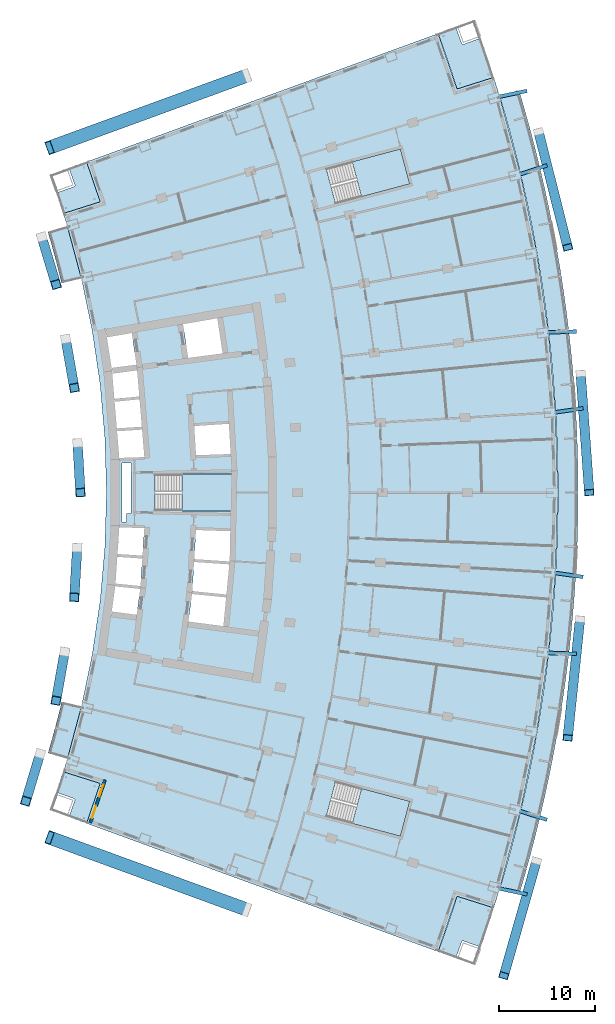
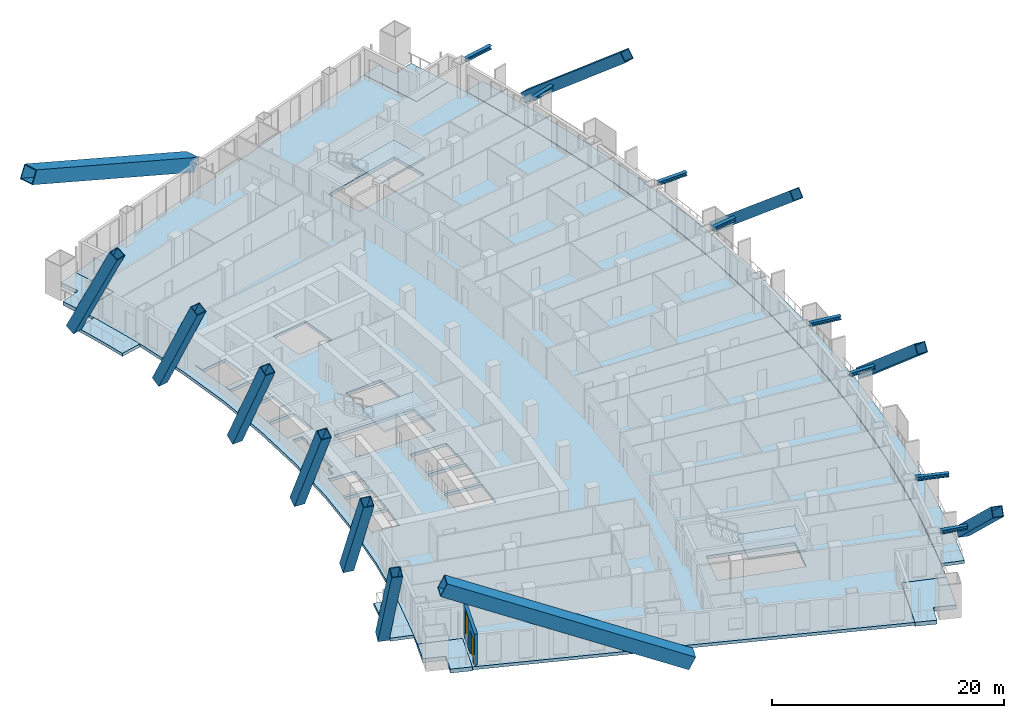
# One storey, part 12 of 25: 20 members, 11 slabs, 1 door, 1 wall, 1 window, 2 openings, 3 elements without a shape of their own.
"""IFC4 building model written with IfcOpenShell, lengths in metres."""

from ifc_helpers import new_model, si_unit, direction, frame, frame_2d, origin, origin_2d, place, context, subcontext, project, spatial, polyline, rectangle, hollow_rectangle, i_section, outline, extrude, material, layer, layer_set, material_profile, profile_set, type_object, element, fill, aggregate, save


model = new_model("IFC4")

# Units and contexts
model_context = context("Model", 3, precision=1e-05, world=origin(), true_north=direction((0.0, 1.0)))
body_context = subcontext(model_context, "Body", "Model", "MODEL_VIEW")
ifc_project = project(units=[si_unit("LENGTHUNIT", "METRE"), si_unit("AREAUNIT", "SQUARE_METRE"), si_unit("VOLUMEUNIT", "CUBIC_METRE"), si_unit("PLANEANGLEUNIT", "RADIAN"), si_unit("MASSUNIT", "GRAM", prefix="KILO")], contexts=[model_context])

# Site, building, storey
site_placement = place(None, origin())
site = spatial("IfcSite", under=ifc_project, at=site_placement, CompositionType="ELEMENT")
building_placement = place(site_placement, origin())
building = spatial("IfcBuilding", under=site, at=building_placement, Name="Alderwake Tower", CompositionType="ELEMENT")
storey_placement = place(building_placement, frame((0.0, 0.0, 64.39990234375)))
storey = spatial("IfcBuildingStorey", under=building, at=storey_placement, Name="L15", CompositionType="ELEMENT", Elevation=64.39990234375)

# Members
ifc_material_1 = material(Name="Steel ASTM A992 Grade 50", Category="steel")
ifc_material_profile_1 = material_profile(ifc_material_1, i_section(OverallWidth=0.3740234375, OverallDepth=0.372314453125, WebThickness=0.016357421875, FlangeThickness=0.026123046875, at=origin_2d()), Name="W14X132")
ifc_profile_set_1 = profile_set([ifc_material_profile_1], Name="Steel ASTM A992 Grade 50")
member_type_1 = type_object("IfcMemberType", Name="Brace node stub W14X132", PredefinedType="MEMBER", material=ifc_profile_set_1)
for number, where, z_axis, x_axis, name in (
    (1, (58.88134765625, 27.9921875, 3.393798828125), (0.949831058239, -0.312763426258, 0.0), (0.312763426258, 0.949831058239, 0.0), "Brace node stub BS.FR03-C5.680"),
    (2, (56.72119140625, 19.953369140625, 3.393798828125), (0.978674700186, -0.205416238929, 0.0), (0.205416238929, 0.978674700186, 0.0), "Brace node stub BS.FR02-C5.680"),
    (3, (62.507080078125, 52.6767578125, 3.393798828125), (0.989774382902, -0.142641757388, 0.0), (0.142641757388, 0.989774382902, 0.0), "Brace node stub BS.FR06-C5.680"),
):
    element("IfcMember", number, at=place(storey_placement, frame(where, z_axis=z_axis, x_axis=x_axis)), inside=storey, type_object=member_type_1, Name=name, PredefinedType="MEMBER", context=body_context, shape_type="SweptSolid", body=[
        extrude(i_section(OverallWidth=0.3740234375, OverallDepth=0.372314453125, WebThickness=0.016357421875, FlangeThickness=0.026123046875, at=origin_2d()), origin(), (0.0, 0.0, 1.0), 2.9404296875),
    ])
for number, where, z_axis, x_axis, name in (
    (4, (61.77978515625, 44.384521484375, 3.393798828125), (0.999491530865, -0.031885415623, 0.0), (0.031885415623, 0.999491530865, 0.0), "Brace node stub BS.FR05-C5.680"),
    (5, (61.77978515625, 77.615478515625, 3.393798828125), (0.999491530865, 0.031885415623, 0.0), (-0.031885415623, 0.999491530865, 0.0), "Brace node stub BS.FR09-C5.680"),
):
    element("IfcMember", number, at=place(storey_placement, frame(where, z_axis=z_axis, x_axis=x_axis)), inside=storey, type_object=member_type_1, Name=name, PredefinedType="MEMBER", context=body_context, shape_type="SweptSolid", body=[
        extrude(i_section(OverallWidth=0.3740234375, OverallDepth=0.372314453125, WebThickness=0.016357421875, FlangeThickness=0.026123046875, at=origin_2d()), origin(), (0.0, 0.0, 1.0), 2.940185546875),
    ])
for number, where, z_axis, x_axis, name in (
    (6, (62.507080078125, 69.3232421875, 3.393798828125), (0.989774382902, 0.142641757388, 0.0), (-0.142641757388, 0.989774382902, 0.0), "Brace node stub BS.FR08-C5.680"),
    (7, (56.72119140625, 102.046630859375, 3.393798828125), (0.978674700186, 0.205416238929, 0.0), (-0.205416238929, 0.978674700186, 0.0), "Brace node stub BS.FR12-C5.680"),
    (8, (58.88134765625, 94.0078125, 3.393798828125), (0.949831058239, 0.312763426258, 0.0), (-0.312763426258, 0.949831058239, 0.0), "Brace node stub BS.FR11-C5.680"),
):
    element("IfcMember", number, at=place(storey_placement, frame(where, z_axis=z_axis, x_axis=x_axis)), inside=storey, type_object=member_type_1, Name=name, PredefinedType="MEMBER", context=body_context, shape_type="SweptSolid", body=[
        extrude(i_section(OverallWidth=0.3740234375, OverallDepth=0.372314453125, WebThickness=0.016357421875, FlangeThickness=0.026123046875, at=origin_2d()), origin(), (0.0, 0.0, 1.0), 2.9404296875),
    ])
ifc_material_2 = material(Name="Steel ASTM A572 Grade 50", Category="steel")
ifc_material_profile_2 = material_profile(ifc_material_2, hollow_rectangle(XDim=1.39990234375, YDim=1.39990234375, WallThickness=0.080078125, at=origin_2d()), Name="BOX 1400X1400X80")
ifc_profile_set_2 = profile_set([ifc_material_profile_2], Name="Steel ASTM A572 Grade 50")
member_type_2 = type_object("IfcMemberType", Name="Mega brace end Z1", PredefinedType="BRACE", material=ifc_profile_set_2)
for number, where, z_axis, x_axis, name in (
    (9, (30.562255859375, 17.767333984375, 0.436279296875), (-0.848264552088, 0.309638421914, 0.429617617592), (-0.34289554939, -0.939373537103, 0.0), "Brace BRS1.2.0B2"),
    (10, (30.562255859375, 104.232666015625, 0.436279296875), (-0.848264552088, -0.309638421914, 0.429617617592), (0.34289554939, -0.939373537103, 0.0), "Brace BRN1.2.0B2"),
):
    element("IfcMember", number, at=place(storey_placement, frame(where, z_axis=z_axis, x_axis=x_axis)), inside=storey, type_object=member_type_2, Name=name, PredefinedType="BRACE", context=body_context, shape_type="SweptSolid", body=[
        extrude(hollow_rectangle(XDim=1.39990234375, YDim=1.39990234375, WallThickness=0.080078125, at=origin_2d()), origin(), (0.0, 0.0, 1.0), 24.123291015625),
    ])
ifc_material_3 = material(Name="Steel ASTM A572 Grade 50", Category="steel")
ifc_material_profile_3 = material_profile(ifc_material_3, hollow_rectangle(XDim=1.0, YDim=1.0, WallThickness=0.06005859375, at=origin_2d()), Name="BOX 1000X1000X60")
ifc_profile_set_3 = profile_set([ifc_material_profile_3], Name="Steel ASTM A572 Grade 50")
member_type_3 = type_object("IfcMemberType", Name="Mega brace face Z1", PredefinedType="BRACE", material=ifc_profile_set_3)
for number, where, z_axis, x_axis, name in (
    (11, (60.589599609375, 22.818603515625, 0.345458984375), (-0.209737163601, -0.734487007314, 0.645398449248), (0.961564144466, -0.274580400024, 0.0), "Brace BRF1.2.1B2"),
    (12, (65.090087890625, 47.879638671875, 0.345458984375), (-0.078658549073, -0.759788230672, 0.645394977661), (0.994683782312, -0.102976566292, 0.0), "Brace BRF1.2.4B2"),
    (13, (65.158447265625, 73.34130859375, 0.345458984375), (0.054830826184, -0.761874179109, 0.645400120629), (0.997420295192, 0.071782691076, 0.0), "Brace BRF1.2.7B2"),
):
    element("IfcMember", number, at=place(storey_placement, frame(where, z_axis=z_axis, x_axis=x_axis)), inside=storey, type_object=member_type_3, Name=name, PredefinedType="BRACE", context=body_context, shape_type="SweptSolid", body=[
        extrude(hollow_rectangle(XDim=1.0, YDim=1.0, WallThickness=0.06005859375, at=origin_2d()), origin(), (0.0, 0.0, 1.0), 16.19873046875),
    ])
member_1_placement = place(storey_placement, frame((60.79248046875, 98.426025390625, 0.345458984375), z_axis=(0.186648746741, -0.740686854801, 0.645403151886), x_axis=(0.969685807447, 0.244355140799, 0.0)))
element("IfcMember", 14, at=member_1_placement, inside=storey, type_object=member_type_3, Name="Brace BRF1.2.10B2", PredefinedType="BRACE", context=body_context, shape_type="SweptSolid", body=[
    extrude(hollow_rectangle(XDim=1.0, YDim=1.0, WallThickness=0.06005859375, at=origin_2d()), origin(), (0.0, 0.0, 1.0), 16.198486328125),
])
for number, where, z_axis, x_axis, name in (
    (15, (9.126708984375, 33.947998046875, 0.558349609375), (-0.12933720337, -0.430825950189, 0.89311863068), (0.95777155602, -0.287530253154, 0.0), "Brace BRR1.2.1B2"),
    (16, (11.669921875, 44.506591796875, 0.558349609375), (-0.078325769962, -0.442958948039, 0.893113903213), (0.984723942876, -0.17412281966, 0.0), "Brace BRR1.2.3B2"),
):
    element("IfcMember", number, at=place(storey_placement, frame(where, z_axis=z_axis, x_axis=x_axis)), inside=storey, type_object=member_type_3, Name=name, PredefinedType="BRACE", context=body_context, shape_type="SweptSolid", body=[
        extrude(hollow_rectangle(XDim=1.0, YDim=1.0, WallThickness=0.06005859375, at=origin_2d()), origin(), (0.0, 0.0, 1.0), 11.46728515625),
    ])
member_2_placement = place(storey_placement, frame((12.966552734375, 55.289306640625, 0.558349609375), z_axis=(-0.026229186763, -0.449068373694, 0.893112325248), x_axis=(0.998298604604, -0.058308627548, 0.0)))
element("IfcMember", 17, at=member_2_placement, inside=storey, type_object=member_type_3, Name="Brace BRR1.2.5B2", PredefinedType="BRACE", context=body_context, shape_type="SweptSolid", body=[
    extrude(hollow_rectangle(XDim=1.0, YDim=1.0, WallThickness=0.06005859375, at=origin_2d()), origin(), (0.0, 0.0, 1.0), 11.467529296875),
])
for number, where, z_axis, x_axis, name in (
    (18, (12.999267578125, 66.1494140625, 0.558349609375), (0.026229437528, -0.449051376903, 0.893120863886), (0.99829844368, 0.058311382639, 0.0), "Brace BRR1.2.7B2"),
    (19, (11.767578125, 76.939697265625, 0.558349609375), (0.078326508612, -0.442941835195, 0.893122325711), (0.984722507824, 0.174130935174, 0.0), "Brace BRR1.2.9B2"),
    (20, (9.288330078125, 87.513427734375, 0.558349609375), (0.129358137216, -0.430824763775, 0.893116171198), (0.957758521063, 0.2875736694, 0.0), "Brace BRR1.2.11B2"),
):
    element("IfcMember", number, at=place(storey_placement, frame(where, z_axis=z_axis, x_axis=x_axis)), inside=storey, type_object=member_type_3, Name=name, PredefinedType="BRACE", context=body_context, shape_type="SweptSolid", body=[
        extrude(hollow_rectangle(XDim=1.0, YDim=1.0, WallThickness=0.06005859375, at=origin_2d()), origin(), (0.0, 0.0, 1.0), 11.46728515625),
    ])

# Slabs
ifc_material_4 = material(Name="Concrete C50/60", Category="concrete")
ifc_layer_1 = layer(ifc_material_4, 0.320068359375)
ifc_layer_set_1 = layer_set([ifc_layer_1], Name="Balcony slab 320")
slab_type_1 = type_object("IfcSlabType", Name="Balcony slab 320", PredefinedType="FLOOR", material=ifc_layer_set_1)
slab_1_placement = place(storey_placement, frame((0.0, 0.0, -0.31982421875)))
element("IfcSlab", 21, at=slab_1_placement, inside=storey, type_object=slab_type_1, Name="Balcony BF02", PredefinedType="FLOOR", context=body_context, shape_type="SweptSolid", body=[
    extrude(outline(polyline([(58.7802734375, 19.334228515625), (59.373046875, 21.3623046875), (59.936279296875, 23.399169921875), (60.4697265625, 25.443603515625), (60.973388671875, 27.49609375), (61.447021484375, 29.555419921875), (61.890380859375, 31.621337890625), (62.3037109375, 33.693603515625), (62.68701171875, 35.771728515625), (63.03955078125, 37.855224609375), (63.36181640625, 39.943603515625), (63.65380859375, 42.036376953125), (63.9150390625, 44.13330078125), (64.145751953125, 46.23388671875), (64.345703125, 48.33740234375), (64.514892578125, 50.443603515625), (64.653564453125, 52.55224609375), (64.76123046875, 54.66259765625), (64.83837890625, 56.7744140625), (64.884521484375, 58.886962890625), (64.89990234375, 61.0), (64.884521484375, 63.113037109375), (64.83837890625, 65.2255859375), (64.76123046875, 67.33740234375), (64.653564453125, 69.44775390625), (64.514892578125, 71.556396484375), (64.345703125, 73.66259765625), (64.145751953125, 75.76611328125), (63.9150390625, 77.86669921875), (63.65380859375, 79.963623046875), (63.36181640625, 82.056396484375), (63.03955078125, 84.144775390625), (62.68701171875, 86.228271484375), (62.3037109375, 88.306396484375), (61.890380859375, 90.378662109375), (61.447021484375, 92.444580078125), (60.973388671875, 94.50390625), (60.4697265625, 96.556396484375), (59.936279296875, 98.600830078125), (59.373046875, 100.6376953125), (58.7802734375, 102.665771484375), (56.76904296875, 102.06201171875), (57.353271484375, 100.06298828125), (57.908203125, 98.055908203125), (58.43408203125, 96.041015625), (58.930419921875, 94.0185546875), (59.39697265625, 91.989013671875), (59.833984375, 89.952880859375), (60.241455078125, 87.91064453125), (60.618896484375, 85.862548828125), (60.966552734375, 83.809326171875), (61.2841796875, 81.751220703125), (61.57177734375, 79.688720703125), (61.829345703125, 77.622314453125), (62.056640625, 75.55224609375), (62.253662109375, 73.47900390625), (62.42041015625, 71.4033203125), (62.55712890625, 69.3251953125), (62.663330078125, 67.24560546875), (62.7392578125, 65.164306640625), (62.784912109375, 63.08251953125), (62.800048828125, 61.0), (62.784912109375, 58.91748046875), (62.7392578125, 56.835693359375), (62.663330078125, 54.75439453125), (62.55712890625, 52.6748046875), (62.42041015625, 50.5966796875), (62.253662109375, 48.52099609375), (62.056640625, 46.44775390625), (61.829345703125, 44.377685546875), (61.57177734375, 42.311279296875), (61.2841796875, 40.248779296875), (60.966552734375, 38.190673828125), (60.618896484375, 36.137451171875), (60.241455078125, 34.08935546875), (59.833984375, 32.047119140625), (59.39697265625, 30.010986328125), (58.930419921875, 27.9814453125), (58.43408203125, 25.958984375), (57.908203125, 23.944091796875), (57.353271484375, 21.93701171875), (56.76904296875, 19.93798828125), (58.7802734375, 19.334228515625)])), origin(), (0.0, 0.0, 1.0), 0.31982421875),
])
slab_2_placement = place(storey_placement, frame((0.0, 0.0, -0.31982421875)))
element("IfcSlab", 22, at=slab_2_placement, inside=storey, type_object=slab_type_1, Name="Balcony BR02", PredefinedType="FLOOR", context=body_context, shape_type="SweptSolid", body=[
    extrude(outline(polyline([(9.93408203125, 33.999267578125), (11.945556640625, 33.395263671875), (13.3984375, 38.802734375), (11.35546875, 39.288330078125), (11.029052734375, 37.95849609375), (10.683349609375, 36.63330078125), (10.318359375, 35.3134765625), (9.93408203125, 33.999267578125)])), origin(), (0.0, 0.0, 1.0), 0.31982421875),
])
slab_3_placement = place(storey_placement, frame((0.0, 0.0, -0.31982421875)))
element("IfcSlab", 23, at=slab_3_placement, inside=storey, type_object=slab_type_1, Name="Balcony BR11", PredefinedType="FLOOR", context=body_context, shape_type="SweptSolid", body=[
    extrude(outline(polyline([(11.35546875, 82.711669921875), (13.3984375, 83.197265625), (11.945556640625, 88.604736328125), (9.93408203125, 88.000732421875), (10.318359375, 86.6865234375), (10.683349609375, 85.36669921875), (11.029052734375, 84.04150390625), (11.35546875, 82.711669921875)])), origin(), (0.0, 0.0, 1.0), 0.31982421875),
])
ifc_material_5 = material(Name="Concrete C50/60", Category="concrete")
ifc_layer_2 = layer(ifc_material_5, 0.320068359375)
ifc_layer_set_2 = layer_set([ifc_layer_2], Name="Concrete C50/60 post-tensioned flat plate 320")
slab_type_2 = type_object("IfcSlabType", Name="Concrete C50/60 post-tensioned flat plate 320", PredefinedType="FLOOR", material=ifc_layer_set_2)
slab_4_placement = place(storey_placement, frame((0.0, 0.0, -0.31982421875)))
element("IfcSlab", 24, at=slab_4_placement, inside=storey, type_object=slab_type_2, Name="Floor slab L15", PredefinedType="FLOOR", context=body_context, shape_type="SweptSolid", body=[
    extrude(outline(polyline([(11.533203125, 32.057373046875), (11.945556640625, 33.395263671875), (13.3984375, 38.802734375), (14.53369140625, 44.28564453125), (15.347412109375, 49.825439453125), (15.836669921875, 55.4033203125), (16.0, 61.0), (15.836669921875, 66.5966796875), (15.347412109375, 72.174560546875), (14.53369140625, 77.71435546875), (13.3984375, 83.197265625), (11.945556640625, 88.604736328125), (11.533203125, 89.942626953125), (15.34716796875, 91.1484375), (13.937255859375, 95.289794921875), (50.385009765625, 108.59423828125), (52.341796875, 102.84619140625), (56.155517578125, 104.052001953125), (56.76904296875, 102.06201171875), (58.930419921875, 94.0185546875), (60.618896484375, 85.862548828125), (61.829345703125, 77.622314453125), (62.55712890625, 69.3251953125), (62.800048828125, 61.0), (62.55712890625, 52.6748046875), (61.829345703125, 44.377685546875), (60.618896484375, 36.137451171875), (58.930419921875, 27.9814453125), (56.76904296875, 19.93798828125), (56.155517578125, 17.947998046875), (52.341796875, 19.15380859375), (50.385009765625, 13.40576171875), (13.937255859375, 26.710205078125), (15.34716796875, 30.8515625), (11.533203125, 32.057373046875)]), holes=[polyline([(16.943359375, 51.26953125), (16.9580078125, 51.4189453125), (16.972900390625, 51.568115234375), (19.525146484375, 51.31591796875), (19.71630859375, 54.164794921875), (17.153564453125, 54.33642578125), (17.16357421875, 54.486083984375), (17.173583984375, 54.6357421875), (19.736083984375, 54.464111328125), (19.92724609375, 57.312744140625), (17.364013671875, 57.403564453125), (17.369140625, 57.553466796875), (17.33935546875, 57.554443359375), (17.1337890625, 54.48828125), (16.927978515625, 51.421875), (16.92822265625, 51.421875), (16.50927734375, 48.377197265625), (16.5390625, 48.373291015625), (16.577880859375, 48.6708984375), (19.138671875, 48.3359375), (19.495361328125, 51.017333984375), (16.943359375, 51.26953125)]), polyline([(29.0, 62.875), (21.050048828125, 62.875), (21.050048828125, 59.125), (29.0, 59.125), (29.0, 62.875)]), polyline([(19.688720703125, 67.53271484375), (17.12548828125, 67.361083984375), (17.115478515625, 67.510498046875), (17.10546875, 67.660400390625), (19.6640625, 67.831787109375), (19.42822265625, 70.674560546875), (16.87646484375, 70.42236328125), (16.86181640625, 70.571533203125), (16.846923828125, 70.720947265625), (19.403564453125, 70.973388671875), (19.179931640625, 73.66943359375), (16.646484375, 73.338134765625), (16.607666015625, 73.635498046875), (16.56884765625, 73.93310546875), (19.111083984375, 74.265625), (18.6240234375, 77.531982421875), (18.919921875, 77.575927734375), (18.916748046875, 77.593994140625), (16.082275390625, 77.10546875), (15.9345703125, 77.9619140625), (15.634765625, 77.908935546875), (15.63525390625, 77.9052734375), (15.9140625, 77.9482421875), (16.57763671875, 73.631591796875), (16.578369140625, 73.626220703125), (16.831787109375, 70.568603515625), (17.085693359375, 67.508544921875), (17.33935546875, 64.4482421875), (17.33935546875, 64.445556640625), (17.369384765625, 64.446533203125), (17.364013671875, 64.596435546875), (19.9248046875, 64.687255859375), (19.688720703125, 67.53271484375)]), polyline([(47.436279296875, 28.996826171875), (39.754150390625, 31.043212890625), (38.7890625, 27.41943359375), (46.47119140625, 25.373291015625), (47.436279296875, 28.996826171875)]), polyline([(24.87451171875, 50.48583984375), (24.878662109375, 50.52783203125), (24.875, 50.5283203125), (24.48974609375, 47.635986328125), (28.117919921875, 47.16162109375), (28.40478515625, 50.136962890625), (24.87451171875, 50.48583984375)]), polyline([(25.080810546875, 53.804931640625), (24.89501953125, 50.731201171875), (24.898681640625, 50.730712890625), (24.904052734375, 50.784423828125), (28.43359375, 50.435546875), (28.735107421875, 53.56005859375), (25.080810546875, 53.804931640625)]), polyline([(28.83740234375, 56.997314453125), (25.281494140625, 57.123291015625), (25.09912109375, 54.1044921875), (28.759521484375, 53.859130859375), (28.7578125, 53.8359375), (28.76171875, 53.835693359375), (28.769287109375, 53.915283203125), (28.83740234375, 56.997314453125)]), polyline([(28.873779296875, 65.00390625), (28.689453125, 68.13623046875), (25.101318359375, 67.895751953125), (25.2822265625, 64.876708984375), (28.873779296875, 65.00390625)]), polyline([(27.490966796875, 79.072021484375), (23.932373046875, 78.45849609375), (23.93310546875, 78.454833984375), (23.9443359375, 78.45654296875), (24.4697265625, 74.972412109375), (24.36474609375, 74.95654296875), (24.365478515625, 74.952880859375), (28.0400390625, 75.433349609375), (27.490966796875, 79.072021484375)]), polyline([(46.47119140625, 96.626708984375), (38.7890625, 94.58056640625), (39.754150390625, 90.956787109375), (47.436279296875, 93.003173828125), (46.47119140625, 96.626708984375)]), polyline([(17.58935546875, 64.05419921875), (17.58935546875, 57.94580078125), (18.065673828125, 57.928955078125), (18.090576171875, 58.84326171875), (18.544189453125, 58.8310546875), (18.529296875, 58.8681640625), (18.5234375, 58.89208984375), (18.5185546875, 58.94091796875), (18.5185546875, 63.060302734375), (18.5234375, 63.109130859375), (18.53759765625, 63.156005859375), (18.560791015625, 63.19921875), (18.588623046875, 63.233642578125), (18.565185546875, 64.088623046875), (17.58935546875, 64.05419921875)])]), origin(), (0.0, 0.0, 1.0), 0.31982421875),
])

# Stair, slab
ifc_material_6 = material(Name="Concrete C40/50", Category="concrete")
stair_type = type_object("IfcStairType", Name="Core exit stair", PredefinedType="HALF_TURN_STAIR", material=ifc_material_6)
stair_1_placement = place(storey_placement, origin())
stair_1 = element("IfcStair", 25, at=stair_1_placement, inside=storey, type_object=stair_type, Name="L15 Exit Stair B", PredefinedType="HALF_TURN_STAIR")
ifc_material_7 = material(Name="Concrete C40/50", Category="concrete")
ifc_layer_3 = layer(ifc_material_7, 0.199951171875)
ifc_layer_set_3 = layer_set([ifc_layer_3], Name="Core stair landing 200")
slab_type_3 = type_object("IfcSlabType", Name="Core stair landing 200", PredefinedType="LANDING", material=ifc_layer_set_3)
slab_5_placement = place(storey_placement, frame((0.0, 0.0, 1.60009765625)))
slab_5 = element("IfcSlab", 26, at=slab_5_placement, type_object=slab_type_3, Name="ST-B landing 1", PredefinedType="LANDING", context=body_context, shape_type="SweptSolid", body=[
    extrude(outline(polyline([(23.830078125, 59.074951171875), (29.0, 59.074951171875), (29.0, 62.925048828125), (23.830078125, 62.925048828125), (23.830078125, 59.074951171875)])), origin(), (0.0, 0.0, 1.0), 0.199951171875),
])
aggregate(stair_1, [slab_5])

stair_2_placement = place(storey_placement, origin())
stair_2 = element("IfcStair", 27, at=stair_2_placement, inside=storey, type_object=stair_type, Name="L15 Exit Stair A", PredefinedType="HALF_TURN_STAIR")
slab_6_placement = place(storey_placement, frame((0.0, 0.0, 1.60009765625)))
slab_6 = element("IfcSlab", 28, at=slab_6_placement, type_object=slab_type_3, Name="ST-A landing 1", PredefinedType="LANDING", context=body_context, shape_type="SweptSolid", body=[
    extrude(outline(polyline([(42.440673828125, 91.67236328125), (47.436279296875, 93.003173828125), (46.47119140625, 96.626708984375), (41.475341796875, 95.296142578125), (42.440673828125, 91.67236328125)])), origin(), (0.0, 0.0, 1.0), 0.199951171875),
])
aggregate(stair_2, [slab_6])

stair_3_placement = place(storey_placement, origin())
stair_3 = element("IfcStair", 29, at=stair_3_placement, inside=storey, type_object=stair_type, Name="L15 Exit Stair C", PredefinedType="HALF_TURN_STAIR")
slab_7_placement = place(storey_placement, frame((0.0, 0.0, 1.60009765625)))
slab_7 = element("IfcSlab", 30, at=slab_7_placement, type_object=slab_type_3, Name="ST-C landing 1", PredefinedType="LANDING", context=body_context, shape_type="SweptSolid", body=[
    extrude(outline(polyline([(41.475341796875, 26.703857421875), (46.47119140625, 25.373291015625), (47.436279296875, 28.996826171875), (42.4404296875, 30.32763671875), (41.475341796875, 26.703857421875)])), origin(), (0.0, 0.0, 1.0), 0.199951171875),
])
aggregate(stair_3, [slab_7])

# Slabs
ifc_material_8 = material(Name="Concrete C50/60", Category="concrete")
ifc_layer_4 = layer(ifc_material_8, 0.419921875)
ifc_layer_set_4 = layer_set([ifc_layer_4], Name="Terrace slab 420")
slab_type_4 = type_object("IfcSlabType", Name="Terrace slab 420", PredefinedType="FLOOR", material=ifc_layer_set_4)
slab_8_placement = place(storey_placement, frame((0.0, 0.0, -0.419921875)))
element("IfcSlab", 31, at=slab_8_placement, inside=storey, type_object=slab_type_4, Name="Corner terrace FS", PredefinedType="FLOOR", context=body_context, shape_type="SweptSolid", body=[
    extrude(outline(polyline([(54.84228515625, 13.99560546875), (54.798828125, 13.87451171875), (53.0146484375, 14.512939453125), (53.00048828125, 14.51708984375), (52.986083984375, 14.52001953125), (52.971435546875, 14.521484375), (52.956787109375, 14.521484375), (52.94189453125, 14.52001953125), (52.927490234375, 14.51708984375), (52.91357421875, 14.512939453125), (52.89990234375, 14.50732421875), (52.886962890625, 14.50048828125), (52.874755859375, 14.4921875), (52.86328125, 14.48291015625), (52.852783203125, 14.472412109375), (52.843505859375, 14.461181640625), (52.83544921875, 14.44873046875), (52.828369140625, 14.435791015625), (52.82275390625, 14.42236328125), (52.219482421875, 12.736083984375), (50.385009765625, 13.40576171875), (51.065185546875, 15.312255859375), (51.71728515625, 17.228515625), (52.341796875, 19.15380859375), (56.155517578125, 17.947998046875), (55.51318359375, 15.967041015625), (54.84228515625, 13.99560546875)])), origin(), (0.0, 0.0, 1.0), 0.419921875),
])
slab_9_placement = place(storey_placement, frame((0.0, 0.0, -0.419921875)))
element("IfcSlab", 32, at=slab_9_placement, inside=storey, type_object=slab_type_4, Name="Corner terrace RS", PredefinedType="FLOOR", context=body_context, shape_type="SweptSolid", body=[
    extrude(outline(polyline([(13.937255859375, 26.710205078125), (12.10888671875, 27.377685546875), (12.114013671875, 27.39013671875), (12.71533203125, 29.086669921875), (12.7197265625, 29.100830078125), (12.722412109375, 29.115234375), (12.723876953125, 29.1298828125), (12.723876953125, 29.14453125), (12.722412109375, 29.1591796875), (12.719482421875, 29.173583984375), (12.715087890625, 29.187744140625), (12.70947265625, 29.201416015625), (12.702392578125, 29.21435546875), (12.6943359375, 29.2265625), (12.684814453125, 29.23779296875), (12.674560546875, 29.248291015625), (12.6630859375, 29.257568359375), (12.65087890625, 29.265625), (12.6376953125, 29.272705078125), (12.624267578125, 29.2783203125), (10.82568359375, 29.915771484375), (11.101318359375, 30.7255859375), (11.533203125, 32.057373046875), (15.34716796875, 30.8515625), (13.937255859375, 26.710205078125)])), origin(), (0.0, 0.0, 1.0), 0.419921875),
])
slab_10_placement = place(storey_placement, frame((0.0, 0.0, -0.419921875)))
element("IfcSlab", 33, at=slab_10_placement, inside=storey, type_object=slab_type_4, Name="Corner terrace FN", PredefinedType="FLOOR", context=body_context, shape_type="SweptSolid", body=[
    extrude(outline(polyline([(54.84228515625, 108.00439453125), (55.51318359375, 106.032958984375), (56.155517578125, 104.052001953125), (52.341796875, 102.84619140625), (51.71728515625, 104.771484375), (51.065185546875, 106.687744140625), (50.385009765625, 108.59423828125), (52.219482421875, 109.263916015625), (52.82275390625, 107.57763671875), (52.828369140625, 107.564208984375), (52.83544921875, 107.55126953125), (52.843505859375, 107.538818359375), (52.852783203125, 107.527587890625), (52.86328125, 107.51708984375), (52.874755859375, 107.5078125), (52.886962890625, 107.49951171875), (52.89990234375, 107.49267578125), (52.91357421875, 107.487060546875), (52.927490234375, 107.48291015625), (52.94189453125, 107.47998046875), (52.956787109375, 107.478515625), (52.971435546875, 107.478515625), (52.986083984375, 107.47998046875), (53.00048828125, 107.48291015625), (53.0146484375, 107.487060546875), (54.798828125, 108.12548828125), (54.84228515625, 108.00439453125)])), origin(), (0.0, 0.0, 1.0), 0.419921875),
])
slab_11_placement = place(storey_placement, frame((0.0, 0.0, -0.419921875)))
element("IfcSlab", 34, at=slab_11_placement, inside=storey, type_object=slab_type_4, Name="Corner terrace RN", PredefinedType="FLOOR", context=body_context, shape_type="SweptSolid", body=[
    extrude(outline(polyline([(10.82568359375, 92.084228515625), (12.624267578125, 92.7216796875), (12.6376953125, 92.727294921875), (12.65087890625, 92.734375), (12.6630859375, 92.742431640625), (12.674560546875, 92.751708984375), (12.684814453125, 92.76220703125), (12.6943359375, 92.7734375), (12.702392578125, 92.78564453125), (12.70947265625, 92.798583984375), (12.715087890625, 92.812255859375), (12.719482421875, 92.826416015625), (12.722412109375, 92.8408203125), (12.723876953125, 92.85546875), (12.723876953125, 92.8701171875), (12.722412109375, 92.884765625), (12.7197265625, 92.899169921875), (12.71533203125, 92.913330078125), (12.114013671875, 94.60986328125), (12.10888671875, 94.622314453125), (13.937255859375, 95.289794921875), (15.34716796875, 91.1484375), (11.533203125, 89.942626953125), (11.101318359375, 91.2744140625), (10.82568359375, 92.084228515625)])), origin(), (0.0, 0.0, 1.0), 0.419921875),
])

# Wall, openings, door, window
ifc_material_9 = material(Name="Bronze metal cladding on lightweight framing")
ifc_layer_5 = layer(ifc_material_9, 0.300048828125)
ifc_layer_set_5 = layer_set([ifc_layer_5], Name="External wall EW2 bronze metal cladding")
wall_type = type_object("IfcWallType", Name="External wall EW2 bronze metal cladding", PredefinedType="SOLIDWALL", material=ifc_layer_set_5)
wall_placement = place(storey_placement, frame((15.83740234375, 31.220703125, 0.0), z_axis=(0.0, 0.0, 1.0), x_axis=(-0.32041006121, -0.947278941324, 0.0)))
wall = element("IfcWall", 35, at=wall_placement, inside=storey, type_object=wall_type, Name="External wall 3", PredefinedType="SOLIDWALL", context=body_context, shape_type="SweptSolid", body=[
    extrude(rectangle(XDim=4.68994140625, YDim=0.300048828125, at=frame_2d((2.344970703125, 0.0))), origin(), (0.0, 0.0, 1.0), 3.280029296875),
])
opening_1_placement = place(wall_placement, frame((0.5224609375, 0.0, 0.199951171875)))
opening_1 = element("IfcOpeningElement", 36, at=opening_1_placement, cuts=wall, Name="Opening W1", PredefinedType="OPENING", context=body_context, shape_type="SweptSolid", body=[
    extrude(rectangle(XDim=1.300048828125, YDim=2.89990234375, at=frame_2d((0.64990234375, 1.449951171875))), frame((0.0, 0.159912109375, 0.0), z_axis=(0.0, -1.0, 0.0), x_axis=(1.0, 0.0, 0.0)), (0.0, 0.0, 1.0), 0.320068359375),
])
opening_2_placement = place(wall_placement, frame((2.867431640625, 0.0, 0.0)))
opening_2 = element("IfcOpeningElement", 37, at=opening_2_placement, cuts=wall, Name="Opening D01", PredefinedType="OPENING", context=body_context, shape_type="SweptSolid", body=[
    extrude(rectangle(XDim=1.300048828125, YDim=2.39990234375, at=frame_2d((0.64990234375, 1.199951171875))), frame((0.0, 0.159912109375, 0.0), z_axis=(0.0, -1.0, 0.0), x_axis=(1.0, 0.0, 0.0)), (0.0, 0.0, 1.0), 0.320068359375),
])
ifc_material_10 = material(Name="Bronze tinted glass in aluminium frame", Category="aluminium")
door_type = type_object("IfcDoorType", Name="Balcony door BD sliding", OperationType="SLIDING_TO_LEFT", PredefinedType="DOOR", material=ifc_material_10)
door_placement = place(opening_2_placement, origin())
door = element("IfcDoor", 38, at=door_placement, inside=storey, type_object=door_type, Name="Door D01", OperationType="SLIDING_TO_LEFT", OverallHeight=2.39990234375, OverallWidth=1.300048828125, PredefinedType="DOOR", context=body_context, shape_type="SweptSolid", body=[
    extrude(rectangle(XDim=1.300048828125, YDim=2.39990234375, at=frame_2d((0.64990234375, 1.199951171875))), frame((0.0, 0.02490234375, 0.0), z_axis=(0.0, -1.0, 0.0), x_axis=(1.0, 0.0, 0.0)), (0.0, 0.0, 1.0), 0.050048828125),
])
fill(opening_2, door)
ifc_material_11 = material(Name="Bronze tinted glass in aluminium frame", Category="aluminium")
window_type = type_object("IfcWindowType", Name="Window W1 tall fixed and vent", PartitioningType="DOUBLE_PANEL_VERTICAL", PredefinedType="WINDOW", material=ifc_material_11)
window_placement = place(opening_1_placement, origin())
window = element("IfcWindow", 39, at=window_placement, inside=storey, type_object=window_type, Name="Window W1 tall fixed and vent", OverallHeight=2.89990234375, OverallWidth=1.300048828125, PartitioningType="DOUBLE_PANEL_VERTICAL", PredefinedType="WINDOW", context=body_context, shape_type="SweptSolid", body=[
    extrude(rectangle(XDim=1.300048828125, YDim=2.89990234375, at=frame_2d((0.64990234375, 1.449951171875))), frame((0.0, 0.030029296875, 0.0), z_axis=(0.0, -1.0, 0.0), x_axis=(1.0, 0.0, 0.0)), (0.0, 0.0, 1.0), 0.06005859375),
])
fill(opening_1, window)

save(model, "model.ifc")
